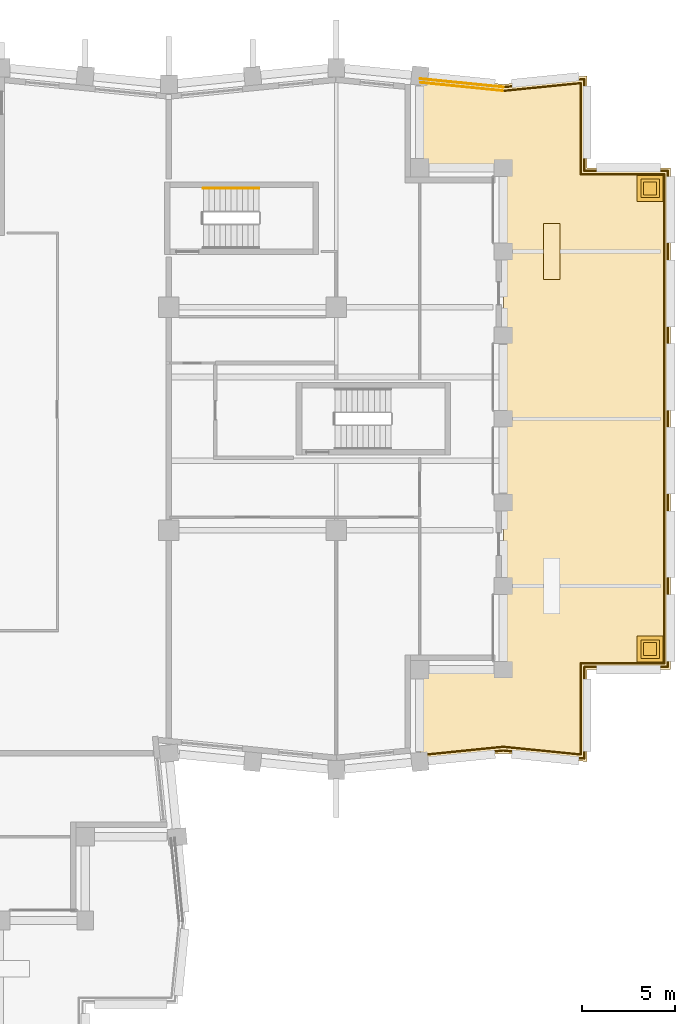
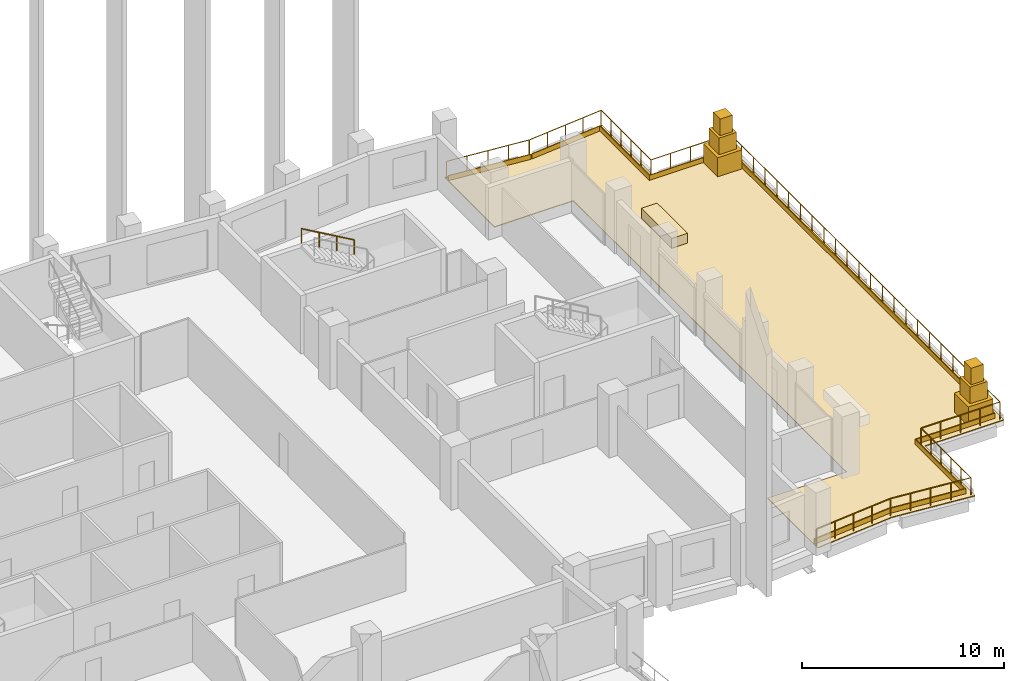
# One storey, part 19 of 19: 10 coverings, 3 railings.
"""IFC4 building model written with IfcOpenShell, lengths in metres."""

from ifc_helpers import new_model, si_unit, direction, frame, origin, origin_2d, place, context, subcontext, project, spatial, polyline, rectangle, circle, outline, extrude, material, layer, layer_set, type_object, element, save


model = new_model("IFC4")

# Units and contexts
model_context = context("Model", 3, precision=1e-05, world=origin(), true_north=direction((0.0, 1.0)))
body_context = subcontext(model_context, "Body", "Model", "MODEL_VIEW")
ifc_project = project(units=[si_unit("LENGTHUNIT", "METRE"), si_unit("AREAUNIT", "SQUARE_METRE"), si_unit("VOLUMEUNIT", "CUBIC_METRE"), si_unit("PLANEANGLEUNIT", "RADIAN"), si_unit("MASSUNIT", "GRAM", prefix="KILO")], contexts=[model_context])

# Site, building, storey
site_placement = place(None, origin())
site = spatial("IfcSite", under=ifc_project, at=site_placement, CompositionType="ELEMENT")
building_placement = place(site_placement, origin())
building = spatial("IfcBuilding", under=site, at=building_placement, Name="Brondeck Convention Tower", CompositionType="ELEMENT")
storey_placement = place(building_placement, frame((0.0, 0.0, 198.800048828125)))
storey = spatial("IfcBuildingStorey", under=building, at=storey_placement, Name="L48", CompositionType="ELEMENT", Elevation=198.800048828125)

# Railings
ifc_material_1 = material(Name="Steel S355, bronze painted", Category="steel")
railing_type_1 = type_object("IfcRailingType", Name="Guard, bronze steel rail and posts", PredefinedType="GUARDRAIL", material=ifc_material_1)
railing_1_placement = place(storey_placement, frame((54.014892578125, 62.8505859375, 0.0)))
element("IfcRailing", 1, at=railing_1_placement, inside=storey, type_object=railing_type_1, Name="ENV-S2-2a-RL1", PredefinedType="GUARDRAIL", context=body_context, shape_type="SweptSolid", body=[
    extrude(circle(Radius=0.02490234375, at=origin_2d()), frame((0.0, 0.0, 1.0751953125), z_axis=(0.995035525628, 0.099520363435, 0.0), x_axis=(-0.099520363435, 0.995035525628, 0.0)), (0.0, 0.0, 1.0), 4.35693359375),
    extrude(circle(Radius=0.02490234375, at=origin_2d()), frame((4.335205078125, 0.43359375, 1.0751953125), z_axis=(0.0, -1.0, 0.0), x_axis=(1.0, 0.0, 0.0)), (0.0, 0.0, 1.0), 4.93408203125),
    extrude(circle(Radius=0.02490234375, at=origin_2d()), frame((4.335205078125, -4.50048828125, 1.0751953125), z_axis=(1.0, 0.0, 0.0), x_axis=(0.0, 1.0, 0.0)), (0.0, 0.0, 1.0), 4.5),
    extrude(circle(Radius=0.02490234375, at=origin_2d()), frame((8.835205078125, -4.50048828125, 1.0751953125), z_axis=(0.0, -1.0, 0.0), x_axis=(1.0, 0.0, 0.0)), (0.0, 0.0, 1.0), 26.7001953125),
    extrude(circle(Radius=0.02490234375, at=origin_2d()), frame((8.835205078125, -31.20068359375, 1.0751953125), z_axis=(-1.0, 0.0, 0.0), x_axis=(0.0, -1.0, 0.0)), (0.0, 0.0, 1.0), 4.5),
    extrude(circle(Radius=0.02490234375, at=origin_2d()), frame((4.335205078125, -31.20068359375, 1.0751953125), z_axis=(0.0, -1.0, 0.0), x_axis=(1.0, 0.0, 0.0)), (0.0, 0.0, 1.0), 4.93408203125),
    extrude(circle(Radius=0.02490234375, at=origin_2d()), frame((4.335205078125, -36.134765625, 1.0751953125), z_axis=(-0.995041612573, 0.099459485464, 0.0), x_axis=(-0.099459485464, -0.995041612573, 0.0)), (0.0, 0.0, 1.0), 4.371826171875),
    extrude(circle(Radius=0.02490234375, at=origin_2d()), frame((-0.014892578125, -35.699951171875, 1.0751953125), z_axis=(-0.995041498943, -0.09946062227, 0.0), x_axis=(0.09946062227, -0.995041498943, 0.0)), (0.0, 0.0, 1.0), 4.487060546875),
    extrude(circle(Radius=0.02490234375, at=origin_2d()), origin(), (0.0, 0.0, 1.0), 1.050048828125),
    extrude(circle(Radius=0.02490234375, at=origin_2d()), frame((1.083740234375, 0.1083984375, 0.0)), (0.0, 0.0, 1.0), 1.050048828125),
    extrude(circle(Radius=0.02490234375, at=origin_2d()), frame((2.16748046875, 0.216796875, 0.0)), (0.0, 0.0, 1.0), 1.050048828125),
    extrude(circle(Radius=0.02490234375, at=origin_2d()), frame((3.25146484375, 0.3251953125, 0.0)), (0.0, 0.0, 1.0), 1.050048828125),
    extrude(circle(Radius=0.02490234375, at=origin_2d()), frame((4.335205078125, 0.43359375, 0.0)), (0.0, 0.0, 1.0), 1.050048828125),
    extrude(circle(Radius=0.02490234375, at=origin_2d()), frame((4.335205078125, -0.55322265625, 0.0)), (0.0, 0.0, 1.0), 1.050048828125),
    extrude(circle(Radius=0.02490234375, at=origin_2d()), frame((4.335205078125, -1.5400390625, 0.0)), (0.0, 0.0, 1.0), 1.050048828125),
    extrude(circle(Radius=0.02490234375, at=origin_2d()), frame((4.335205078125, -2.52685546875, 0.0)), (0.0, 0.0, 1.0), 1.050048828125),
    extrude(circle(Radius=0.02490234375, at=origin_2d()), frame((4.335205078125, -3.513671875, 0.0)), (0.0, 0.0, 1.0), 1.050048828125),
    extrude(circle(Radius=0.02490234375, at=origin_2d()), frame((4.335205078125, -4.50048828125, 0.0)), (0.0, 0.0, 1.0), 1.050048828125),
    extrude(circle(Radius=0.02490234375, at=origin_2d()), frame((5.460205078125, -4.50048828125, 0.0)), (0.0, 0.0, 1.0), 1.050048828125),
    extrude(circle(Radius=0.02490234375, at=origin_2d()), frame((6.585205078125, -4.50048828125, 0.0)), (0.0, 0.0, 1.0), 1.050048828125),
    extrude(circle(Radius=0.02490234375, at=origin_2d()), frame((7.710205078125, -4.50048828125, 0.0)), (0.0, 0.0, 1.0), 1.050048828125),
    extrude(circle(Radius=0.02490234375, at=origin_2d()), frame((8.835205078125, -4.50048828125, 0.0)), (0.0, 0.0, 1.0), 1.050048828125),
    extrude(circle(Radius=0.02490234375, at=origin_2d()), frame((8.835205078125, -5.661376953125, 0.0)), (0.0, 0.0, 1.0), 1.050048828125),
    extrude(circle(Radius=0.02490234375, at=origin_2d()), frame((8.835205078125, -6.822265625, 0.0)), (0.0, 0.0, 1.0), 1.050048828125),
    extrude(circle(Radius=0.02490234375, at=origin_2d()), frame((8.835205078125, -7.983154296875, 0.0)), (0.0, 0.0, 1.0), 1.050048828125),
    extrude(circle(Radius=0.02490234375, at=origin_2d()), frame((8.835205078125, -9.14404296875, 0.0)), (0.0, 0.0, 1.0), 1.050048828125),
    extrude(circle(Radius=0.02490234375, at=origin_2d()), frame((8.835205078125, -10.304931640625, 0.0)), (0.0, 0.0, 1.0), 1.050048828125),
    extrude(circle(Radius=0.02490234375, at=origin_2d()), frame((8.835205078125, -11.4658203125, 0.0)), (0.0, 0.0, 1.0), 1.050048828125),
    extrude(circle(Radius=0.02490234375, at=origin_2d()), frame((8.835205078125, -12.626708984375, 0.0)), (0.0, 0.0, 1.0), 1.050048828125),
    extrude(circle(Radius=0.02490234375, at=origin_2d()), frame((8.835205078125, -13.78759765625, 0.0)), (0.0, 0.0, 1.0), 1.050048828125),
    extrude(circle(Radius=0.02490234375, at=origin_2d()), frame((8.835205078125, -14.948486328125, 0.0)), (0.0, 0.0, 1.0), 1.050048828125),
    extrude(circle(Radius=0.02490234375, at=origin_2d()), frame((8.835205078125, -16.109375, 0.0)), (0.0, 0.0, 1.0), 1.050048828125),
    extrude(circle(Radius=0.02490234375, at=origin_2d()), frame((8.835205078125, -17.270263671875, 0.0)), (0.0, 0.0, 1.0), 1.050048828125),
    extrude(circle(Radius=0.02490234375, at=origin_2d()), frame((8.835205078125, -18.430908203125, 0.0)), (0.0, 0.0, 1.0), 1.050048828125),
    extrude(circle(Radius=0.02490234375, at=origin_2d()), frame((8.835205078125, -19.591796875, 0.0)), (0.0, 0.0, 1.0), 1.050048828125),
    extrude(circle(Radius=0.02490234375, at=origin_2d()), frame((8.835205078125, -20.752685546875, 0.0)), (0.0, 0.0, 1.0), 1.050048828125),
    extrude(circle(Radius=0.02490234375, at=origin_2d()), frame((8.835205078125, -21.91357421875, 0.0)), (0.0, 0.0, 1.0), 1.050048828125),
    extrude(circle(Radius=0.02490234375, at=origin_2d()), frame((8.835205078125, -23.074462890625, 0.0)), (0.0, 0.0, 1.0), 1.050048828125),
    extrude(circle(Radius=0.02490234375, at=origin_2d()), frame((8.835205078125, -24.2353515625, 0.0)), (0.0, 0.0, 1.0), 1.050048828125),
    extrude(circle(Radius=0.02490234375, at=origin_2d()), frame((8.835205078125, -25.396240234375, 0.0)), (0.0, 0.0, 1.0), 1.050048828125),
    extrude(circle(Radius=0.02490234375, at=origin_2d()), frame((8.835205078125, -26.55712890625, 0.0)), (0.0, 0.0, 1.0), 1.050048828125),
    extrude(circle(Radius=0.02490234375, at=origin_2d()), frame((8.835205078125, -27.718017578125, 0.0)), (0.0, 0.0, 1.0), 1.050048828125),
    extrude(circle(Radius=0.02490234375, at=origin_2d()), frame((8.835205078125, -28.87890625, 0.0)), (0.0, 0.0, 1.0), 1.050048828125),
    extrude(circle(Radius=0.02490234375, at=origin_2d()), frame((8.835205078125, -30.039794921875, 0.0)), (0.0, 0.0, 1.0), 1.050048828125),
    extrude(circle(Radius=0.02490234375, at=origin_2d()), frame((8.835205078125, -31.20068359375, 0.0)), (0.0, 0.0, 1.0), 1.050048828125),
    extrude(circle(Radius=0.02490234375, at=origin_2d()), frame((7.710205078125, -31.20068359375, 0.0)), (0.0, 0.0, 1.0), 1.050048828125),
    extrude(circle(Radius=0.02490234375, at=origin_2d()), frame((6.585205078125, -31.20068359375, 0.0)), (0.0, 0.0, 1.0), 1.050048828125),
    extrude(circle(Radius=0.02490234375, at=origin_2d()), frame((5.460205078125, -31.20068359375, 0.0)), (0.0, 0.0, 1.0), 1.050048828125),
    extrude(circle(Radius=0.02490234375, at=origin_2d()), frame((4.335205078125, -31.20068359375, 0.0)), (0.0, 0.0, 1.0), 1.050048828125),
    extrude(circle(Radius=0.02490234375, at=origin_2d()), frame((4.335205078125, -32.1875, 0.0)), (0.0, 0.0, 1.0), 1.050048828125),
    extrude(circle(Radius=0.02490234375, at=origin_2d()), frame((4.335205078125, -33.17431640625, 0.0)), (0.0, 0.0, 1.0), 1.050048828125),
    extrude(circle(Radius=0.02490234375, at=origin_2d()), frame((4.335205078125, -34.1611328125, 0.0)), (0.0, 0.0, 1.0), 1.050048828125),
    extrude(circle(Radius=0.02490234375, at=origin_2d()), frame((4.335205078125, -35.14794921875, 0.0)), (0.0, 0.0, 1.0), 1.050048828125),
    extrude(circle(Radius=0.02490234375, at=origin_2d()), frame((4.335205078125, -36.134765625, 0.0)), (0.0, 0.0, 1.0), 1.050048828125),
    extrude(circle(Radius=0.02490234375, at=origin_2d()), frame((3.24755859375, -36.026123046875, 0.0)), (0.0, 0.0, 1.0), 1.050048828125),
    extrude(circle(Radius=0.02490234375, at=origin_2d()), frame((2.16015625, -35.91748046875, 0.0)), (0.0, 0.0, 1.0), 1.050048828125),
    extrude(circle(Radius=0.02490234375, at=origin_2d()), frame((1.07275390625, -35.80859375, 0.0)), (0.0, 0.0, 1.0), 1.050048828125),
    extrude(circle(Radius=0.02490234375, at=origin_2d()), frame((-0.014892578125, -35.699951171875, 0.0)), (0.0, 0.0, 1.0), 1.050048828125),
    extrude(circle(Radius=0.02490234375, at=origin_2d()), frame((-1.131103515625, -35.8115234375, 0.0)), (0.0, 0.0, 1.0), 1.050048828125),
    extrude(circle(Radius=0.02490234375, at=origin_2d()), frame((-2.247314453125, -35.923095703125, 0.0)), (0.0, 0.0, 1.0), 1.050048828125),
    extrude(circle(Radius=0.02490234375, at=origin_2d()), frame((-3.363525390625, -36.03466796875, 0.0)), (0.0, 0.0, 1.0), 1.050048828125),
    extrude(circle(Radius=0.02490234375, at=origin_2d()), frame((-4.479736328125, -36.146240234375, 0.0)), (0.0, 0.0, 1.0), 1.050048828125),
])
railing_2_placement = place(storey_placement, frame((49.53515625, 63.295654296875, 0.0)))
element("IfcRailing", 2, at=railing_2_placement, inside=storey, type_object=railing_type_1, Name="ENV-S2-2b-RL1", PredefinedType="GUARDRAIL", context=body_context, shape_type="SweptSolid", body=[
    extrude(circle(Radius=0.02490234375, at=origin_2d()), frame((0.0, 0.0, 1.0751953125), z_axis=(0.995035568554, -0.099519934244, 0.0), x_axis=(0.099519934244, 0.995035568554, 0.0)), (0.0, 0.0, 1.0), 4.47216796875),
    extrude(circle(Radius=0.02490234375, at=origin_2d()), origin(), (0.0, 0.0, 1.0), 1.050048828125),
    extrude(circle(Radius=0.02490234375, at=origin_2d()), frame((1.112548828125, -0.111328125, 0.0)), (0.0, 0.0, 1.0), 1.050048828125),
    extrude(circle(Radius=0.02490234375, at=origin_2d()), frame((2.22509765625, -0.22265625, 0.0)), (0.0, 0.0, 1.0), 1.050048828125),
    extrude(circle(Radius=0.02490234375, at=origin_2d()), frame((3.33740234375, -0.333740234375, 0.0)), (0.0, 0.0, 1.0), 1.050048828125),
    extrude(circle(Radius=0.02490234375, at=origin_2d()), frame((4.449951171875, -0.445068359375, 0.0)), (0.0, 0.0, 1.0), 1.050048828125),
])

# Coverings
ifc_material_2 = material(Name="Aluminium, bronze anodised planter with soil", Category="aluminium")
ifc_layer_1 = layer(ifc_material_2, 0.199951171875)
ifc_layer_set_1 = layer_set([ifc_layer_1], Name="Roof planter")
covering_type_1 = type_object("IfcCoveringType", Name="Roof planter", PredefinedType="USERDEFINED", material=ifc_layer_set_1)
covering_1_placement = place(storey_placement, frame((56.60009765625, 54.0, 0.0498046875), z_axis=(0.0, 0.0, 1.0), x_axis=(0.0, 1.0, 0.0)))
element("IfcCovering", 3, at=covering_1_placement, inside=storey, type_object=covering_type_1, Name="ENV-S2-2-PL02", ObjectType="PLANTER", PredefinedType="USERDEFINED", context=body_context, shape_type="SweptSolid", body=[
    extrude(rectangle(XDim=3.0, YDim=0.89990234375, at=origin_2d()), origin(), (0.0, 0.0, 1.0), 0.60009765625),
])
ifc_material_3 = material(Name="Aluminium, bronze anodised", Category="aluminium")
ifc_layer_2 = layer(ifc_material_3, 0.050048828125)
ifc_layer_set_2 = layer_set([ifc_layer_2], Name="Snow retention bar")
covering_type_2 = type_object("IfcCoveringType", Name="Snow retention bar", PredefinedType="MOLDING", material=ifc_layer_set_2)
covering_2_placement = place(storey_placement, frame((0.0, 0.0, 0.050048828125)))
element("IfcCovering", 4, at=covering_2_placement, inside=storey, type_object=covering_type_2, Name="ENV-S2-2a-SR1", PredefinedType="MOLDING", context=body_context, shape_type="SweptSolid", body=[
    extrude(outline(polyline([(58.175048828125, 63.0908203125), (54.0322265625, 62.676513671875), (54.037353515625, 62.626953125), (58.125, 63.03564453125), (58.125, 58.125), (62.625, 58.125), (62.625, 31.875), (58.125, 31.875), (58.125, 26.96435546875), (54.0, 27.376953125), (49.5126953125, 26.927978515625), (49.517578125, 26.87841796875), (54.0, 27.32666015625), (58.175048828125, 26.9091796875), (58.175048828125, 31.824951171875), (62.675048828125, 31.824951171875), (62.675048828125, 58.175048828125), (58.175048828125, 58.175048828125), (58.175048828125, 63.0908203125)])), origin(), (0.0, 0.0, 1.0), 0.2998046875),
])
covering_3_placement = place(storey_placement, frame((0.0, 0.0, 0.050048828125)))
element("IfcCovering", 5, at=covering_3_placement, inside=storey, type_object=covering_type_2, Name="ENV-S2-2b-SR1", PredefinedType="MOLDING", context=body_context, shape_type="SweptSolid", body=[
    extrude(outline(polyline([(53.9677734375, 62.676513671875), (49.517578125, 63.12158203125), (49.5126953125, 63.072021484375), (53.962646484375, 62.626953125), (53.9677734375, 62.676513671875)])), origin(), (0.0, 0.0, 1.0), 0.2998046875),
])

# Railing
ifc_material_4 = material(Name="Steel S355", Category="steel")
railing_type_2 = type_object("IfcRailingType", Name="Stair handrail", PredefinedType="HANDRAIL", material=ifc_material_4)
railing_3_placement = place(storey_placement, frame((40.85009765625, 57.39990234375, 2.07275390625)))
element("IfcRailing", 6, at=railing_3_placement, inside=storey, type_object=railing_type_2, Name="L48 ST-AE stair handrail 2", PredefinedType="HANDRAIL", context=body_context, shape_type="SweptSolid", body=[
    extrude(circle(Radius=0.02392578125, at=origin_2d()), frame((0.0, 0.0, 0.8759765625), z_axis=(-0.866619684472, 0.0, 0.498969260062), x_axis=(0.0, -1.0, 0.0)), (0.0, 0.0, 1.0), 3.461669921875),
    extrude(circle(Radius=0.02099609375, at=origin_2d()), origin(), (0.0, 0.0, 1.0), 0.851806640625),
    extrude(circle(Radius=0.02099609375, at=origin_2d()), frame((-1.0, 0.0, 0.57568359375)), (0.0, 0.0, 1.0), 0.851806640625),
    extrude(circle(Radius=0.02099609375, at=origin_2d()), frame((-2.0, 0.0, 1.151611328125)), (0.0, 0.0, 1.0), 0.851806640625),
    extrude(circle(Radius=0.02099609375, at=origin_2d()), frame((-3.0, 0.0, 1.727294921875)), (0.0, 0.0, 1.0), 0.851806640625),
])

# Coverings
ifc_material_5 = material(Name="Granite paving", Category="masonry")
ifc_layer_3 = layer(ifc_material_5, 0.050048828125)
ifc_layer_set_3 = layer_set([ifc_layer_3], Name="Terrace paving")
covering_type_3 = type_object("IfcCoveringType", Name="Terrace paving", PredefinedType="FLOORING", material=ifc_layer_set_3)
covering_4_placement = place(storey_placement, origin())
element("IfcCovering", 7, at=covering_4_placement, inside=storey, type_object=covering_type_3, Name="ENV-S2-2-PV1", PredefinedType="FLOORING", context=body_context, shape_type="SweptSolid", body=[
    extrude(outline(polyline([(54.0, 63.0), (49.5, 63.449951171875), (49.5, 58.5), (54.0, 58.5), (54.0, 31.5), (49.5, 31.5), (49.5, 26.550048828125), (54.0, 27.0), (58.5, 26.550048828125), (58.5, 31.5), (63.0, 31.5), (63.0, 58.5), (58.5, 58.5), (58.5, 63.449951171875), (54.0, 63.0)])), origin(), (0.0, 0.0, 1.0), 0.050048828125),
])
ifc_material_6 = material(Name="Precast concrete C50/60 bronze finish", Category="concrete")
ifc_layer_4 = layer(ifc_material_6, 1.39990234375)
ifc_layer_set_4 = layer_set([ifc_layer_4], Name="Terrace stepped finial, precast")
covering_type_4 = type_object("IfcCoveringType", Name="Terrace stepped finial, precast", PredefinedType="MOLDING", material=ifc_layer_set_4)
covering_5_placement = place(storey_placement, origin())
element("IfcCovering", 8, at=covering_5_placement, inside=storey, type_object=covering_type_4, Name="ENV-FT-S2-2-1-S1", PredefinedType="MOLDING", context=body_context, shape_type="SweptSolid", body=[
    extrude(outline(polyline([(62.60009765625, 31.89990234375), (62.60009765625, 33.300048828125), (61.199951171875, 33.300048828125), (61.199951171875, 31.89990234375), (62.60009765625, 31.89990234375)])), origin(), (0.0, 0.0, 1.0), 1.199951171875),
])
covering_6_placement = place(storey_placement, frame((0.0, 0.0, 1.199951171875)))
element("IfcCovering", 9, at=covering_6_placement, inside=storey, type_object=covering_type_4, Name="ENV-FT-S2-2-1-S2", PredefinedType="MOLDING", context=body_context, shape_type="SweptSolid", body=[
    extrude(outline(polyline([(62.39990234375, 32.10009765625), (62.39990234375, 33.10009765625), (61.39990234375, 33.10009765625), (61.39990234375, 32.10009765625), (62.39990234375, 32.10009765625)])), origin(), (0.0, 0.0, 1.0), 1.0),
])
covering_7_placement = place(storey_placement, frame((0.0, 0.0, 2.199951171875)))
element("IfcCovering", 10, at=covering_7_placement, inside=storey, type_object=covering_type_4, Name="ENV-FT-S2-2-1-S3", PredefinedType="MOLDING", context=body_context, shape_type="SweptSolid", body=[
    extrude(outline(polyline([(62.25, 32.25), (62.25, 32.949951171875), (61.550048828125, 32.949951171875), (61.550048828125, 32.25), (62.25, 32.25)])), origin(), (0.0, 0.0, 1.0), 1.0),
])
covering_8_placement = place(storey_placement, origin())
element("IfcCovering", 11, at=covering_8_placement, inside=storey, type_object=covering_type_4, Name="ENV-FT-S2-2-2-S1", PredefinedType="MOLDING", context=body_context, shape_type="SweptSolid", body=[
    extrude(outline(polyline([(62.60009765625, 56.699951171875), (62.60009765625, 58.10009765625), (61.199951171875, 58.10009765625), (61.199951171875, 56.699951171875), (62.60009765625, 56.699951171875)])), origin(), (0.0, 0.0, 1.0), 1.199951171875),
])
covering_9_placement = place(storey_placement, frame((0.0, 0.0, 1.199951171875)))
element("IfcCovering", 12, at=covering_9_placement, inside=storey, type_object=covering_type_4, Name="ENV-FT-S2-2-2-S2", PredefinedType="MOLDING", context=body_context, shape_type="SweptSolid", body=[
    extrude(outline(polyline([(62.39990234375, 56.89990234375), (62.39990234375, 57.89990234375), (61.39990234375, 57.89990234375), (61.39990234375, 56.89990234375), (62.39990234375, 56.89990234375)])), origin(), (0.0, 0.0, 1.0), 1.0),
])
covering_10_placement = place(storey_placement, frame((0.0, 0.0, 2.199951171875)))
element("IfcCovering", 13, at=covering_10_placement, inside=storey, type_object=covering_type_4, Name="ENV-FT-S2-2-2-S3", PredefinedType="MOLDING", context=body_context, shape_type="SweptSolid", body=[
    extrude(outline(polyline([(62.25, 57.050048828125), (62.25, 57.75), (61.550048828125, 57.75), (61.550048828125, 57.050048828125), (62.25, 57.050048828125)])), origin(), (0.0, 0.0, 1.0), 1.0),
])

save(model, "model.ifc")
